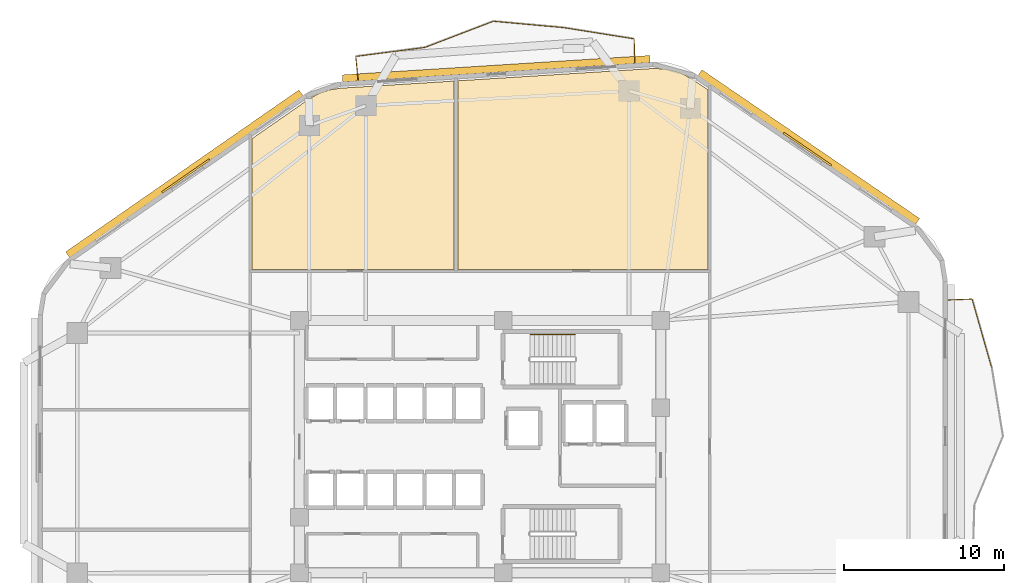
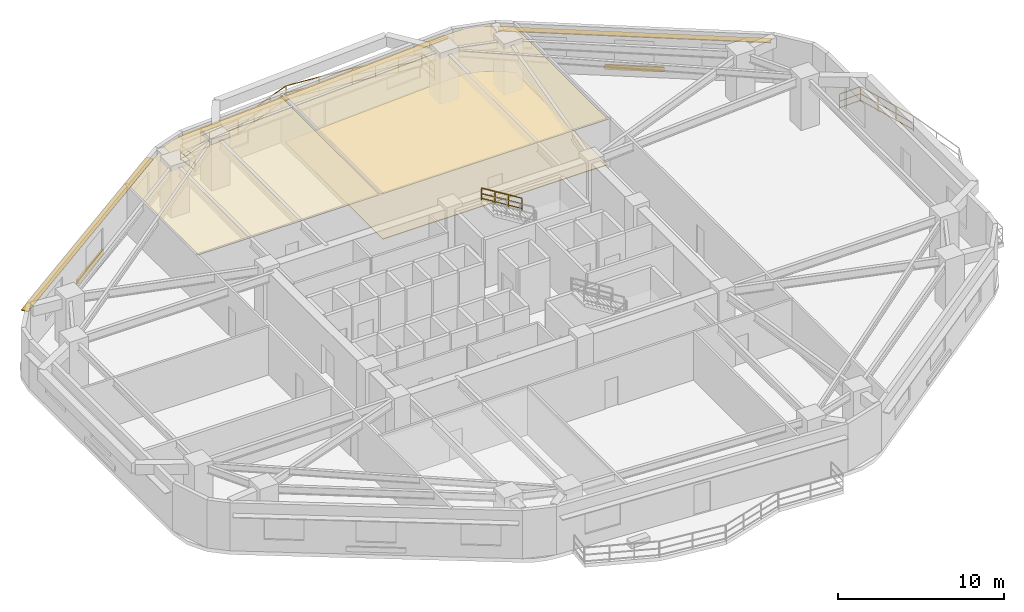
# One storey, part 8 of 8: 9 railings, 5 shading devices, 3 coverings.
"""IFC4 building model written with IfcOpenShell, lengths in metres."""

from ifc_helpers import new_model, si_unit, direction, frame, origin, origin_2d, place, context, subcontext, project, spatial, polyline, rectangle, outline, extrude, material, layer, layer_set, type_object, element, save


model = new_model("IFC4")

# Units and contexts
model_context = context("Model", 3, precision=1e-05, world=origin(), true_north=direction((0.0, 1.0)))
body_context = subcontext(model_context, "Body", "Model", "MODEL_VIEW")
ifc_project = project(units=[si_unit("LENGTHUNIT", "METRE"), si_unit("AREAUNIT", "SQUARE_METRE"), si_unit("VOLUMEUNIT", "CUBIC_METRE"), si_unit("PLANEANGLEUNIT", "RADIAN"), si_unit("MASSUNIT", "GRAM", prefix="KILO")], contexts=[model_context])

# Site, building, storey
site_placement = place(None, origin())
site = spatial("IfcSite", under=ifc_project, at=site_placement, CompositionType="ELEMENT")
building_placement = place(site_placement, origin())
building = spatial("IfcBuilding", under=site, at=building_placement, Name="Zulverin Broadcast Headquarters", CompositionType="ELEMENT")
storey_placement = place(building_placement, frame((0.0, 0.0, 44.0)))
storey = spatial("IfcBuildingStorey", under=building, at=storey_placement, Name="L10", CompositionType="ELEMENT", Elevation=44.0)

# Coverings
ifc_material_1 = material(Name="Perforated pale-metal acoustic baffle ceiling", Category="aluminium")
ifc_layer_1 = layer(ifc_material_1, 0.0400390625, Name="Perforated pale-metal acoustic baffle ceiling", Category="aluminium")
ifc_layer_set_1 = layer_set([ifc_layer_1], Name="Perforated pale-metal acoustic baffle ceiling")
covering_type_1 = type_object("IfcCoveringType", Name="COV-CEIL-ACOU", PredefinedType="CEILING", material=ifc_layer_set_1)
covering_1_placement = place(storey_placement, frame((0.0, 0.0, 3.344970703125)))
element("IfcCovering", 1, at=covering_1_placement, inside=storey, type_object=covering_type_1, Name="L10 Acoustic Baffle Ceiling 01", PredefinedType="CEILING", context=body_context, shape_type="SweptSolid", body=[
    extrude(outline(polyline([(35.3798828125, 36.27197265625), (35.3798828125, 48.02392578125), (28.27587890625, 47.575927734375), (27.575927734375, 47.468017578125), (26.927978515625, 47.243896484375), (26.31591796875, 46.89599609375), (22.77197265625, 44.431884765625), (22.77197265625, 36.27197265625), (35.3798828125, 36.27197265625)])), origin(), (0.0, 0.0, 1.0), 0.0400390625),
])
covering_2_placement = place(storey_placement, frame((0.0, 0.0, 3.344970703125)))
element("IfcCovering", 2, at=covering_2_placement, inside=storey, type_object=covering_type_1, Name="L10 Acoustic Baffle Ceiling 02", PredefinedType="CEILING", context=body_context, shape_type="SweptSolid", body=[
    extrude(outline(polyline([(51.23193359375, 36.27197265625), (51.23193359375, 47.471923828125), (50.248046875, 48.139892578125), (49.491943359375, 48.548095703125), (48.68408203125, 48.76806640625), (47.823974609375, 48.80810546875), (35.6201171875, 48.0400390625), (35.6201171875, 36.27197265625), (51.23193359375, 36.27197265625)])), origin(), (0.0, 0.0, 1.0), 0.0400390625),
])
ifc_material_2 = material(Name="Anti-static broadcast raised access flooring", Category="stone")
ifc_layer_2 = layer(ifc_material_2, 0.050048828125, Name="Anti-static broadcast raised access flooring", Category="stone")
ifc_layer_set_2 = layer_set([ifc_layer_2], Name="Anti-static broadcast raised access flooring")
covering_type_2 = type_object("IfcCoveringType", Name="COV-FLR-RAISED", PredefinedType="FLOORING", material=ifc_layer_set_2)
covering_3_placement = place(storey_placement, origin())
element("IfcCovering", 3, at=covering_3_placement, inside=storey, type_object=covering_type_2, Name="L10 Broadcast Raised Access Flooring 01", PredefinedType="FLOORING", context=body_context, shape_type="SweptSolid", body=[
    extrude(outline(polyline([(51.23193359375, 36.27197265625), (51.23193359375, 47.471923828125), (50.248046875, 48.139892578125), (49.491943359375, 48.548095703125), (48.68408203125, 48.76806640625), (47.823974609375, 48.80810546875), (35.6201171875, 48.0400390625), (35.6201171875, 36.27197265625), (51.23193359375, 36.27197265625)])), origin(), (0.0, 0.0, 1.0), 0.050048828125),
])

# Railings
ifc_material_3 = material(Name="Brushed stainless steel & laminated glass balustrade", Category="steel")
railing_type_1 = type_object("IfcRailingType", Name="RL-GUARD-1150", PredefinedType="GUARDRAIL", material=ifc_material_3)
railing_1_placement = place(storey_placement, frame((68.9345703125, 30.14599609375, 0.0)))
element("IfcRailing", 4, at=railing_1_placement, inside=storey, type_object=railing_type_1, Name="L10 Vertical-Forest Balcony Guardrail BAL_E Segment 05", PredefinedType="GUARDRAIL", context=body_context, shape_type="SweptSolid", body=[
    extrude(rectangle(XDim=0.048095703125, YDim=0.048095703125, at=origin_2d()), frame((0.0, 0.0, 1.1259765625), z_axis=(-0.273671162685, 0.961823317826, 0.0), x_axis=(-0.961823317826, -0.273671162685, 0.0)), (0.0, 0.0, 1.0), 4.423095703125),
    extrude(rectangle(XDim=0.0419921875, YDim=0.0419921875, at=origin_2d()), frame((0.0, 0.0, 0.597900390625), z_axis=(-0.273671162685, 0.961823317826, 0.0), x_axis=(-0.961823317826, -0.273671162685, 0.0)), (0.0, 0.0, 1.0), 4.423095703125),
    extrude(rectangle(XDim=0.0419921875, YDim=0.0419921875, at=origin_2d()), frame((0.0, 0.0, 0.1201171875), z_axis=(-0.273671162685, 0.961823317826, 0.0), x_axis=(-0.961823317826, -0.273671162685, 0.0)), (0.0, 0.0, 1.0), 4.423095703125),
    extrude(rectangle(XDim=0.0419921875, YDim=0.0419921875, at=origin_2d()), origin(), (0.0, 0.0, 1.0), 1.101806640625),
    extrude(rectangle(XDim=0.0419921875, YDim=0.0419921875, at=origin_2d()), frame((-0.403564453125, 1.41796875, 0.0)), (0.0, 0.0, 1.0), 1.101806640625),
    extrude(rectangle(XDim=0.0419921875, YDim=0.0419921875, at=origin_2d()), frame((-0.806884765625, 2.836181640625, 0.0)), (0.0, 0.0, 1.0), 1.101806640625),
    extrude(rectangle(XDim=0.0419921875, YDim=0.0419921875, at=origin_2d()), frame((-1.21044921875, 4.254150390625, 0.0)), (0.0, 0.0, 1.0), 1.101806640625),
])
railing_2_placement = place(storey_placement, frame((67.705078125, 34.413818359375, 0.0)))
element("IfcRailing", 5, at=railing_2_placement, inside=storey, type_object=railing_type_1, Name="L10 Vertical-Forest Balcony Guardrail BAL_E Segment 06", PredefinedType="GUARDRAIL", context=body_context, shape_type="SweptSolid", body=[
    extrude(rectangle(XDim=0.048095703125, YDim=0.048095703125, at=origin_2d()), frame((0.0, 0.0, 1.1259765625), z_axis=(-0.999181155166, -0.040460093435, 0.0), x_axis=(0.040460093435, -0.999181155166, 0.0)), (0.0, 0.0, 1.0), 1.46630859375),
    extrude(rectangle(XDim=0.0419921875, YDim=0.0419921875, at=origin_2d()), frame((0.0, 0.0, 0.597900390625), z_axis=(-0.999181155166, -0.040460093435, 0.0), x_axis=(0.040460093435, -0.999181155166, 0.0)), (0.0, 0.0, 1.0), 1.46630859375),
    extrude(rectangle(XDim=0.0419921875, YDim=0.0419921875, at=origin_2d()), frame((0.0, 0.0, 0.1201171875), z_axis=(-0.999181155166, -0.040460093435, 0.0), x_axis=(0.040460093435, -0.999181155166, 0.0)), (0.0, 0.0, 1.0), 1.46630859375),
    extrude(rectangle(XDim=0.0419921875, YDim=0.0419921875, at=origin_2d()), origin(), (0.0, 0.0, 1.0), 1.101806640625),
    extrude(rectangle(XDim=0.0419921875, YDim=0.0419921875, at=origin_2d()), frame((-1.465087890625, -0.059326171875, 0.0)), (0.0, 0.0, 1.0), 1.101806640625),
])
railing_3_placement = place(storey_placement, frame((46.662841796875, 49.176025390625, 0.0)))
element("IfcRailing", 6, at=railing_3_placement, inside=storey, type_object=railing_type_1, Name="L10 Vertical-Forest Balcony Guardrail BAL_N Segment 01", PredefinedType="GUARDRAIL", context=body_context, shape_type="SweptSolid", body=[
    extrude(rectangle(XDim=0.048095703125, YDim=0.048095703125, at=origin_2d()), frame((0.0, 0.0, 1.1259765625), z_axis=(-0.022479328211, 0.999747307975, 0.0), x_axis=(-0.999747307975, -0.022479328211, 0.0)), (0.0, 0.0, 1.0), 1.46630859375),
    extrude(rectangle(XDim=0.0419921875, YDim=0.0419921875, at=origin_2d()), frame((0.0, 0.0, 0.597900390625), z_axis=(-0.022479328211, 0.999747307975, 0.0), x_axis=(-0.999747307975, -0.022479328211, 0.0)), (0.0, 0.0, 1.0), 1.46630859375),
    extrude(rectangle(XDim=0.0419921875, YDim=0.0419921875, at=origin_2d()), frame((0.0, 0.0, 0.1201171875), z_axis=(-0.022479328211, 0.999747307975, 0.0), x_axis=(-0.999747307975, -0.022479328211, 0.0)), (0.0, 0.0, 1.0), 1.46630859375),
    extrude(rectangle(XDim=0.0419921875, YDim=0.0419921875, at=origin_2d()), origin(), (0.0, 0.0, 1.0), 1.101806640625),
    extrude(rectangle(XDim=0.0419921875, YDim=0.0419921875, at=origin_2d()), frame((-0.032958984375, 1.4658203125, 0.0)), (0.0, 0.0, 1.0), 1.101806640625),
])
railing_4_placement = place(storey_placement, frame((46.61474609375, 50.6591796875, 0.0)))
element("IfcRailing", 7, at=railing_4_placement, inside=storey, type_object=railing_type_1, Name="L10 Vertical-Forest Balcony Guardrail BAL_N Segment 02", PredefinedType="GUARDRAIL", context=body_context, shape_type="SweptSolid", body=[
    extrude(rectangle(XDim=0.048095703125, YDim=0.048095703125, at=origin_2d()), frame((0.0, 0.0, 1.1259765625), z_axis=(-0.98753524025, 0.157398059915, 0.0), x_axis=(-0.157398059915, -0.98753524025, 0.0)), (0.0, 0.0, 1.0), 4.43603515625),
    extrude(rectangle(XDim=0.0419921875, YDim=0.0419921875, at=origin_2d()), frame((0.0, 0.0, 0.597900390625), z_axis=(-0.98753524025, 0.157398059915, 0.0), x_axis=(-0.157398059915, -0.98753524025, 0.0)), (0.0, 0.0, 1.0), 4.43603515625),
    extrude(rectangle(XDim=0.0419921875, YDim=0.0419921875, at=origin_2d()), frame((0.0, 0.0, 0.1201171875), z_axis=(-0.98753524025, 0.157398059915, 0.0), x_axis=(-0.157398059915, -0.98753524025, 0.0)), (0.0, 0.0, 1.0), 4.43603515625),
    extrude(rectangle(XDim=0.0419921875, YDim=0.0419921875, at=origin_2d()), origin(), (0.0, 0.0, 1.0), 1.101806640625),
    extrude(rectangle(XDim=0.0419921875, YDim=0.0419921875, at=origin_2d()), frame((-1.460205078125, 0.232666015625, 0.0)), (0.0, 0.0, 1.0), 1.101806640625),
    extrude(rectangle(XDim=0.0419921875, YDim=0.0419921875, at=origin_2d()), frame((-2.920654296875, 0.465576171875, 0.0)), (0.0, 0.0, 1.0), 1.101806640625),
    extrude(rectangle(XDim=0.0419921875, YDim=0.0419921875, at=origin_2d()), frame((-4.380859375, 0.6982421875, 0.0)), (0.0, 0.0, 1.0), 1.101806640625),
])
railing_5_placement = place(storey_placement, frame((42.2041015625, 51.361083984375, 0.0)))
element("IfcRailing", 8, at=railing_5_placement, inside=storey, type_object=railing_type_1, Name="L10 Vertical-Forest Balcony Guardrail BAL_N Segment 03", PredefinedType="GUARDRAIL", context=body_context, shape_type="SweptSolid", body=[
    extrude(rectangle(XDim=0.048095703125, YDim=0.048095703125, at=origin_2d()), frame((0.0, 0.0, 1.1259765625), z_axis=(-0.995967815769, 0.089711258779, 0.0), x_axis=(-0.089711258779, -0.995967815769, 0.0)), (0.0, 0.0, 1.0), 4.378662109375),
    extrude(rectangle(XDim=0.0419921875, YDim=0.0419921875, at=origin_2d()), frame((0.0, 0.0, 0.597900390625), z_axis=(-0.995967815769, 0.089711258779, 0.0), x_axis=(-0.089711258779, -0.995967815769, 0.0)), (0.0, 0.0, 1.0), 4.378662109375),
    extrude(rectangle(XDim=0.0419921875, YDim=0.0419921875, at=origin_2d()), frame((0.0, 0.0, 0.1201171875), z_axis=(-0.995967815769, 0.089711258779, 0.0), x_axis=(-0.089711258779, -0.995967815769, 0.0)), (0.0, 0.0, 1.0), 4.378662109375),
    extrude(rectangle(XDim=0.0419921875, YDim=0.0419921875, at=origin_2d()), origin(), (0.0, 0.0, 1.0), 1.101806640625),
    extrude(rectangle(XDim=0.0419921875, YDim=0.0419921875, at=origin_2d()), frame((-2.1806640625, 0.1962890625, 0.0)), (0.0, 0.0, 1.0), 1.101806640625),
    extrude(rectangle(XDim=0.0419921875, YDim=0.0419921875, at=origin_2d()), frame((-4.361083984375, 0.392822265625, 0.0)), (0.0, 0.0, 1.0), 1.101806640625),
])
railing_6_placement = place(storey_placement, frame((37.814208984375, 51.749755859375, 0.0)))
element("IfcRailing", 9, at=railing_6_placement, inside=storey, type_object=railing_type_1, Name="L10 Vertical-Forest Balcony Guardrail BAL_N Segment 04", PredefinedType="GUARDRAIL", context=body_context, shape_type="SweptSolid", body=[
    extrude(rectangle(XDim=0.048095703125, YDim=0.048095703125, at=origin_2d()), frame((0.0, 0.0, 1.1259765625), z_axis=(-0.934010095267, -0.357246612215, 0.0), x_axis=(0.357246612215, -0.934010095267, 0.0)), (0.0, 0.0, 1.0), 4.534423828125),
    extrude(rectangle(XDim=0.0419921875, YDim=0.0419921875, at=origin_2d()), frame((0.0, 0.0, 0.597900390625), z_axis=(-0.934010095267, -0.357246612215, 0.0), x_axis=(0.357246612215, -0.934010095267, 0.0)), (0.0, 0.0, 1.0), 4.534423828125),
    extrude(rectangle(XDim=0.0419921875, YDim=0.0419921875, at=origin_2d()), frame((0.0, 0.0, 0.1201171875), z_axis=(-0.934010095267, -0.357246612215, 0.0), x_axis=(0.357246612215, -0.934010095267, 0.0)), (0.0, 0.0, 1.0), 4.534423828125),
    extrude(rectangle(XDim=0.0419921875, YDim=0.0419921875, at=origin_2d()), origin(), (0.0, 0.0, 1.0), 1.101806640625),
    extrude(rectangle(XDim=0.0419921875, YDim=0.0419921875, at=origin_2d()), frame((-1.41162109375, -0.5400390625, 0.0)), (0.0, 0.0, 1.0), 1.101806640625),
    extrude(rectangle(XDim=0.0419921875, YDim=0.0419921875, at=origin_2d()), frame((-2.823486328125, -1.079833984375, 0.0)), (0.0, 0.0, 1.0), 1.101806640625),
    extrude(rectangle(XDim=0.0419921875, YDim=0.0419921875, at=origin_2d()), frame((-4.235107421875, -1.619873046875, 0.0)), (0.0, 0.0, 1.0), 1.101806640625),
])
railing_7_placement = place(storey_placement, frame((33.550048828125, 50.12255859375, 0.0)))
element("IfcRailing", 10, at=railing_7_placement, inside=storey, type_object=railing_type_1, Name="L10 Vertical-Forest Balcony Guardrail BAL_N Segment 05", PredefinedType="GUARDRAIL", context=body_context, shape_type="SweptSolid", body=[
    extrude(rectangle(XDim=0.048095703125, YDim=0.048095703125, at=origin_2d()), frame((0.0, 0.0, 1.1259765625), z_axis=(-0.99161202167, -0.129250139186, 0.0), x_axis=(0.129250139186, -0.99161202167, 0.0)), (0.0, 0.0, 1.0), 4.3369140625),
    extrude(rectangle(XDim=0.0419921875, YDim=0.0419921875, at=origin_2d()), frame((0.0, 0.0, 0.597900390625), z_axis=(-0.99161202167, -0.129250139186, 0.0), x_axis=(0.129250139186, -0.99161202167, 0.0)), (0.0, 0.0, 1.0), 4.3369140625),
    extrude(rectangle(XDim=0.0419921875, YDim=0.0419921875, at=origin_2d()), frame((0.0, 0.0, 0.1201171875), z_axis=(-0.99161202167, -0.129250139186, 0.0), x_axis=(0.129250139186, -0.99161202167, 0.0)), (0.0, 0.0, 1.0), 4.3369140625),
    extrude(rectangle(XDim=0.0419921875, YDim=0.0419921875, at=origin_2d()), origin(), (0.0, 0.0, 1.0), 1.101806640625),
    extrude(rectangle(XDim=0.0419921875, YDim=0.0419921875, at=origin_2d()), frame((-2.150390625, -0.2802734375, 0.0)), (0.0, 0.0, 1.0), 1.101806640625),
    extrude(rectangle(XDim=0.0419921875, YDim=0.0419921875, at=origin_2d()), frame((-4.300537109375, -0.560546875, 0.0)), (0.0, 0.0, 1.0), 1.101806640625),
])
railing_8_placement = place(storey_placement, frame((29.236083984375, 49.545166015625, 0.0)))
element("IfcRailing", 11, at=railing_8_placement, inside=storey, type_object=railing_type_1, Name="L10 Vertical-Forest Balcony Guardrail BAL_N Segment 06", PredefinedType="GUARDRAIL", context=body_context, shape_type="SweptSolid", body=[
    extrude(rectangle(XDim=0.048095703125, YDim=0.048095703125, at=origin_2d()), frame((0.0, 0.0, 1.1259765625), z_axis=(0.103393334431, -0.994640547331, 0.0), x_axis=(0.994640547331, 0.103393334431, 0.0)), (0.0, 0.0, 1.0), 1.46630859375),
    extrude(rectangle(XDim=0.0419921875, YDim=0.0419921875, at=origin_2d()), frame((0.0, 0.0, 0.597900390625), z_axis=(0.103393334431, -0.994640547331, 0.0), x_axis=(0.994640547331, 0.103393334431, 0.0)), (0.0, 0.0, 1.0), 1.46630859375),
    extrude(rectangle(XDim=0.0419921875, YDim=0.0419921875, at=origin_2d()), frame((0.0, 0.0, 0.1201171875), z_axis=(0.103393334431, -0.994640547331, 0.0), x_axis=(0.994640547331, 0.103393334431, 0.0)), (0.0, 0.0, 1.0), 1.46630859375),
    extrude(rectangle(XDim=0.0419921875, YDim=0.0419921875, at=origin_2d()), origin(), (0.0, 0.0, 1.0), 1.101806640625),
    extrude(rectangle(XDim=0.0419921875, YDim=0.0419921875, at=origin_2d()), frame((0.151611328125, -1.45849609375, 0.0)), (0.0, 0.0, 1.0), 1.101806640625),
])
ifc_material_4 = material(Name="Brushed stainless steel 48 mm handrail", Category="steel")
railing_type_2 = type_object("IfcRailingType", Name="RL-ST-HAND", PredefinedType="HANDRAIL", material=ifc_material_4)
railing_9_placement = place(storey_placement, frame((42.929931640625, 32.199951171875, 2.07275390625)))
element("IfcRailing", 12, at=railing_9_placement, inside=storey, type_object=railing_type_2, Name="L10 ST-1 stair handrail 2", PredefinedType="HANDRAIL", context=body_context, shape_type="SweptSolid", body=[
    extrude(rectangle(XDim=0.048095703125, YDim=0.048095703125, at=origin_2d()), frame((0.0, 0.0, 0.8759765625), z_axis=(-0.851089632645, 0.0, 0.525020415988), x_axis=(0.0, -1.0, 0.0)), (0.0, 0.0, 1.0), 3.2900390625),
    extrude(rectangle(XDim=0.0419921875, YDim=0.0419921875, at=origin_2d()), frame((0.0, 0.0, 0.468017578125), z_axis=(-0.851089632645, 0.0, 0.525020415988), x_axis=(0.0, -1.0, 0.0)), (0.0, 0.0, 1.0), 3.2900390625),
    extrude(rectangle(XDim=0.0419921875, YDim=0.0419921875, at=origin_2d()), frame((0.0, 0.0, 0.1201171875), z_axis=(-0.851089632645, 0.0, 0.525020415988), x_axis=(0.0, -1.0, 0.0)), (0.0, 0.0, 1.0), 3.2900390625),
    extrude(rectangle(XDim=0.0419921875, YDim=0.0419921875, at=origin_2d()), origin(), (0.0, 0.0, 1.0), 0.851806640625),
    extrude(rectangle(XDim=0.0419921875, YDim=0.0419921875, at=origin_2d()), frame((-0.933349609375, 0.0, 0.57568359375)), (0.0, 0.0, 1.0), 0.851806640625),
    extrude(rectangle(XDim=0.0419921875, YDim=0.0419921875, at=origin_2d()), frame((-1.86669921875, 0.0, 1.151611328125)), (0.0, 0.0, 1.0), 0.851806640625),
    extrude(rectangle(XDim=0.0419921875, YDim=0.0419921875, at=origin_2d()), frame((-2.800048828125, 0.0, 1.727294921875)), (0.0, 0.0, 1.0), 0.851806640625),
])

# Shading devices
ifc_material_5 = material(Name="Anodized pale-metal aluminium acoustic louvre", Category="aluminium")
shading_device_type_1 = type_object("IfcShadingDeviceType", Name="SHD-LOUVRE-350", PredefinedType="USERDEFINED", material=ifc_material_5)
for number, where, z_axis, x_axis, name in (
    (13, (57.435302734375, 43.76708984375, 0.244873046875), (0.0, 0.0, 1.0), (-0.825756855157, 0.564026254851, 0.0), "L10 Spandrel Intake Louvre 4"),
    (14, (18.631103515625, 42.0966796875, 0.244873046875), (0.0, 0.0, 1.0), (-0.821556397865, -0.57012725345, 0.0), "L10 Spandrel Intake Louvre 6"),
):
    element("IfcShadingDevice", number, at=place(storey_placement, frame(where, z_axis=z_axis, x_axis=x_axis)), inside=storey, type_object=shading_device_type_1, Name=name, ObjectType="LOUVRE", PredefinedType="USERDEFINED", context=body_context, shape_type="SweptSolid", body=[
        extrude(rectangle(XDim=3.60009765625, YDim=0.1201171875, at=origin_2d()), origin(), (0.0, 0.0, 1.0), 0.35009765625),
    ])
ifc_material_6 = material(Name="Anodized pale-metal aluminium sunshade", Category="aluminium")
ifc_layer_3 = layer(ifc_material_6, 0.06005859375, Name="Anodized pale-metal aluminium sunshade", Category="aluminium")
ifc_layer_set_3 = layer_set([ifc_layer_3], Name="Anodized pale-metal aluminium sunshade")
shading_device_type_2 = type_object("IfcShadingDeviceType", Name="SS-01_PALE_METAL_ALUMINIUM_SUNSHADE", PredefinedType="USERDEFINED", material=ifc_layer_set_3)
shading_device_1_placement = place(storey_placement, frame((57.525390625, 43.8994140625, 2.7099609375), z_axis=(0.0, 0.0, 1.0), x_axis=(-0.825756855157, 0.564026254851, 0.0)))
element("IfcShadingDevice", 15, at=shading_device_1_placement, inside=storey, type_object=shading_device_type_2, Name="L10 Horizontal Pale-Metal Sunshade Band 4", ObjectType="SUNSHADE", PredefinedType="USERDEFINED", context=body_context, shape_type="SweptSolid", body=[
    extrude(rectangle(XDim=16.4482421875, YDim=0.449951171875, at=origin_2d()), origin(), (0.0, 0.0, 1.0), 0.06005859375),
])
shading_device_2_placement = place(storey_placement, frame((38.01513671875, 48.791015625, 2.7099609375), z_axis=(0.0, 0.0, 1.0), x_axis=(-0.998017621976, -0.062935095345, 0.0)))
element("IfcShadingDevice", 16, at=shading_device_2_placement, inside=storey, type_object=shading_device_type_2, Name="L10 Horizontal Pale-Metal Sunshade Band 5", ObjectType="SUNSHADE", PredefinedType="USERDEFINED", context=body_context, shape_type="SweptSolid", body=[
    extrude(rectangle(XDim=19.2294921875, YDim=0.449951171875, at=origin_2d()), origin(), (0.0, 0.0, 1.0), 0.06005859375),
])
shading_device_3_placement = place(storey_placement, frame((18.539794921875, 42.22802734375, 2.7099609375), z_axis=(0.0, 0.0, 1.0), x_axis=(-0.821556397865, -0.57012725345, 0.0)))
element("IfcShadingDevice", 17, at=shading_device_3_placement, inside=storey, type_object=shading_device_type_2, Name="L10 Horizontal Pale-Metal Sunshade Band 6", ObjectType="SUNSHADE", PredefinedType="USERDEFINED", context=body_context, shape_type="SweptSolid", body=[
    extrude(rectangle(XDim=17.732421875, YDim=0.449951171875, at=origin_2d()), origin(), (0.0, 0.0, 1.0), 0.06005859375),
])

save(model, "model.ifc")
